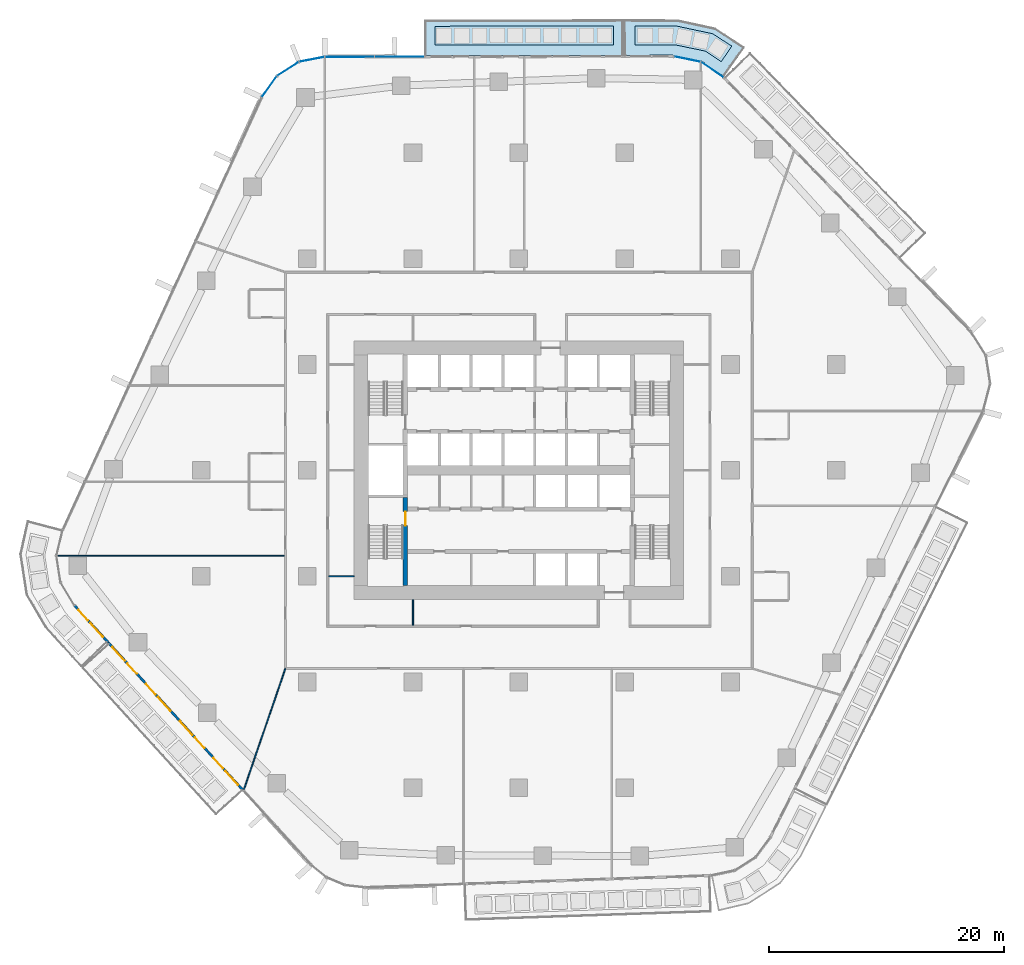
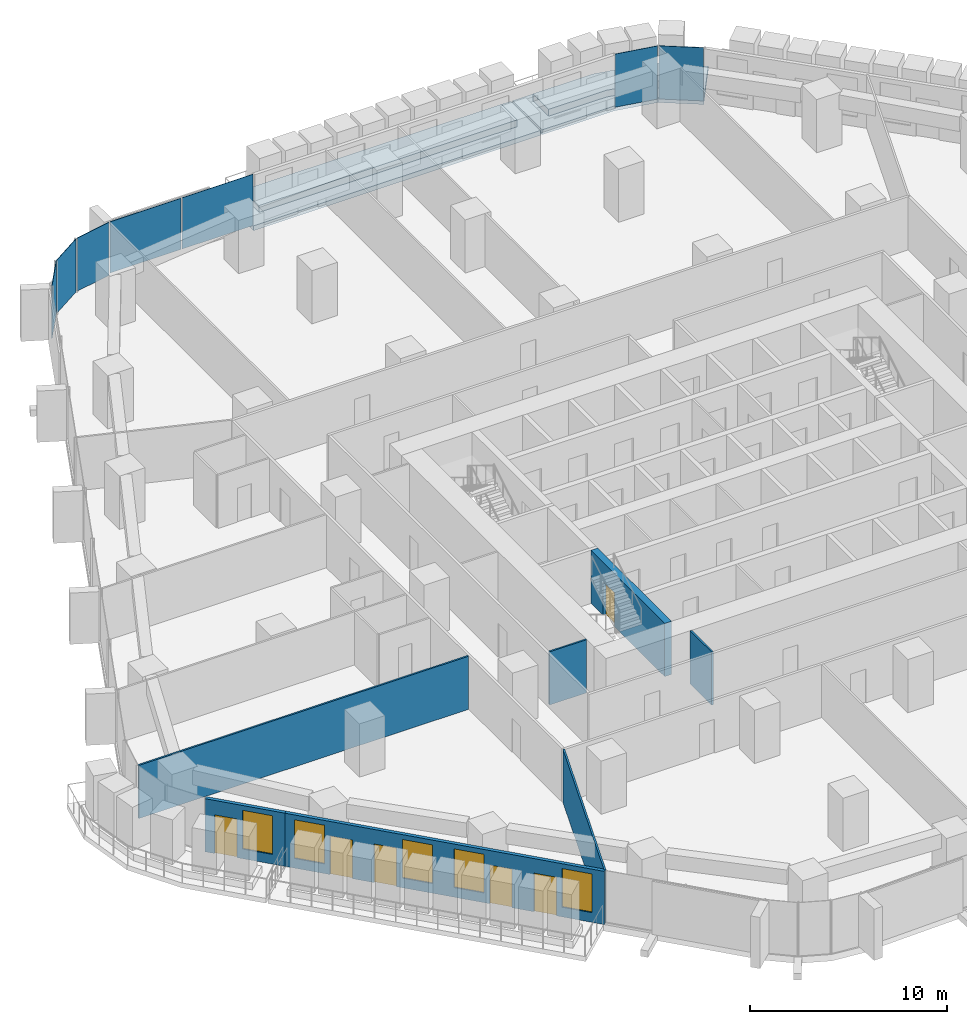
# One storey, part 12 of 26: 7 plates, 7 walls, 6 doors, 5 windows, 4 slabs, 11 openings, 3 elements without a shape of their own.
"""IFC4 building model written with IfcOpenShell, lengths in metres."""

import ifcopenshell
import ifcopenshell.guid

model = None  # the IFC model being written
_history = None  # IfcOwnerHistory: only IFC2X3 demands one
_inside = {}  # id of a spatial element -> (the spatial element, [elements in it])
_under = {}  # id of a project, library or spatial element -> (it, [spatial elements below it])
_declared = {}  # id of a project -> (the project, [libraries it declares])
_typed = {}  # id of a type object -> (the type object, [elements of that type])
_made_of = {}  # id of a material, layer set ... -> (it, [elements and type objects made of it])


def new_model(schema):
    """Start an empty IFC model of exactly this schema.

    Asked for "IFC4X3", IfcOpenShell would pick the latest addendum, in which some entities
    have other attributes; the version numbers below select the first issue.
    IFC2X3 requires an IfcOwnerHistory on every rooted entity: one is made here for all.
    """
    global model, _history
    if schema == "IFC4X3":
        model = ifcopenshell.file(schema_version=(4, 3, 0, 0))
    else:
        model = ifcopenshell.file(schema=schema)
    _inside.clear()
    _under.clear()
    _declared.clear()
    _typed.clear()
    _made_of.clear()
    _history = None
    if model.schema == "IFC2X3":
        org = make("IfcOrganization", Name="unknown")
        user = make(
            "IfcPersonAndOrganization",
            ThePerson=make("IfcPerson", FamilyName="unknown"),
            TheOrganization=org,
        )
        app = make(
            "IfcApplication",
            ApplicationDeveloper=org,
            Version="unknown",
            ApplicationFullName="unknown",
            ApplicationIdentifier="unknown",
        )
        _history = make(
            "IfcOwnerHistory",
            OwningUser=user,
            OwningApplication=app,
            ChangeAction="ADDED",
            CreationDate=0,
        )
    return model


def make(cls, **values):
    """One entity of the class cls with the attributes given. An attribute that is None is left unset."""
    return model.create_entity(
        cls, **{name: value for name, value in values.items() if value is not None}
    )


def rooted(cls, **values):
    """An entity with a GlobalId (a new one), such as an element, a storey or a relation."""
    return make(cls, GlobalId=ifcopenshell.guid.new(), OwnerHistory=_history, **values)


def si_unit(unit_type, name, prefix=None):
    """IfcSIUnit, for example si_unit("LENGTHUNIT", "METRE", prefix="MILLI")."""
    return make("IfcSIUnit", UnitType=unit_type, Prefix=prefix, Name=name)


def assignment(units):
    """IfcUnitAssignment: the units of a project."""
    return None if units is None else make("IfcUnitAssignment", Units=units)


def point(xyz):
    """IfcCartesianPoint."""
    return None if xyz is None else make("IfcCartesianPoint", Coordinates=xyz)


def direction(xyz):
    """IfcDirection."""
    return None if xyz is None else make("IfcDirection", DirectionRatios=xyz)


def frame(location, z_axis=None, x_axis=None):
    """IfcAxis2Placement3D, a coordinate frame: its origin and axes. An axis left out is left unset."""
    return make(
        "IfcAxis2Placement3D",
        Location=point(location),
        Axis=direction(z_axis),
        RefDirection=direction(x_axis),
    )


def frame_2d(location, x_axis=None):
    """IfcAxis2Placement2D, a coordinate frame in the plane: its origin and x axis."""
    return make(
        "IfcAxis2Placement2D", Location=point(location), RefDirection=direction(x_axis)
    )


def origin():
    """The frame at (0, 0, 0) with its axes left unset."""
    return frame((0.0, 0.0, 0.0))


def origin_2d():
    """The frame at (0, 0) in the plane with its x axis left unset."""
    return frame_2d((0.0, 0.0))


def place(relative_to, where):
    """IfcLocalPlacement: puts the frame where relative to a parent placement (None: the world)."""
    return make(
        "IfcLocalPlacement", PlacementRelTo=relative_to, RelativePlacement=where
    )


def context(
    kind, dimensions, precision=None, world=None, true_north=None, identifier=None
):
    """IfcGeometricRepresentationContext, for example the 3D "Model" context."""
    return make(
        "IfcGeometricRepresentationContext",
        ContextIdentifier=identifier,
        ContextType=kind,
        CoordinateSpaceDimension=dimensions,
        Precision=precision,
        WorldCoordinateSystem=world,
        TrueNorth=true_north,
    )


def subcontext(parent, identifier, kind, view, scale=None):
    """IfcGeometricRepresentationSubContext, for example "Body" below "Model"."""
    return make(
        "IfcGeometricRepresentationSubContext",
        ContextIdentifier=identifier,
        ContextType=kind,
        ParentContext=parent,
        TargetScale=scale,
        TargetView=view,
    )


def project(units=None, contexts=None):
    """IfcProject with its units and contexts."""
    return rooted(
        "IfcProject",
        Name="project",
        RepresentationContexts=contexts,
        UnitsInContext=assignment(units),
    )


def spatial(cls, under=None, at=None, **own):
    """A site, building, storey or space (cls), placed at a placement, below another one or the project."""
    s = rooted(cls, ObjectPlacement=at, **own)
    if under is not None:
        _under.setdefault(under.id(), (under, []))[1].append(s)
    return s


def polyline(points):
    """IfcPolyline through the points."""
    return make("IfcPolyline", Points=[point(p) for p in points])


def profile(cls, at=None, kind="AREA", **sizes):
    """A parametric profile (cls). Its sizes go by their IFC names, for example OverallWidth=200.0."""
    return make(cls, ProfileType=kind, Position=at, **sizes)


def rectangle(**sizes):
    """IfcRectangleProfileDef."""
    return profile("IfcRectangleProfileDef", **sizes)


def outline(outer, holes=None, kind="AREA"):
    """IfcArbitraryClosedProfileDef: a profile drawn as a closed curve; with holes, ...WithVoids."""
    if holes is None:
        return make("IfcArbitraryClosedProfileDef", ProfileType=kind, OuterCurve=outer)
    return make(
        "IfcArbitraryProfileDefWithVoids",
        ProfileType=kind,
        OuterCurve=outer,
        InnerCurves=holes,
    )


def extrude(swept, where, along, depth):
    """IfcExtrudedAreaSolid: the profile swept, set in the frame where, extruded along a direction by depth."""
    return make(
        "IfcExtrudedAreaSolid",
        SweptArea=swept,
        Position=where,
        ExtrudedDirection=direction(along),
        Depth=depth,
    )


def shape(context_of_items, identifier, shape_type, items):
    """IfcShapeRepresentation: the items that make up one representation, for example the "Body"."""
    return make(
        "IfcShapeRepresentation",
        ContextOfItems=context_of_items,
        RepresentationIdentifier=identifier,
        RepresentationType=shape_type,
        Items=items,
    )


def material(Name=None, Category=None):
    """IfcMaterial."""
    return make("IfcMaterial", Name=Name, Category=Category)


def layer(
    of_material, thickness, ventilated=None, Name=None, Category=None, Priority=None
):
    """IfcMaterialLayer: one layer of a wall or slab, of a material (None: an air gap)."""
    return make(
        "IfcMaterialLayer",
        Material=of_material,
        LayerThickness=thickness,
        IsVentilated=ventilated,
        Name=Name,
        Category=Category,
        Priority=Priority,
    )


def layer_set(layers, Name=None):
    """IfcMaterialLayerSet."""
    return make("IfcMaterialLayerSet", MaterialLayers=layers, LayerSetName=Name)


def made_of(thing, what):
    """Note that an element or type object is made of a material, layer set ...; save() writes the relation."""
    if what is not None:
        _made_of.setdefault(what.id(), (what, []))[1].append(thing)
    return thing


def type_object(cls, material=None, **own):
    """A type object (cls), such as IfcWallType, which elements share."""
    return made_of(rooted(cls, **own), material)


def element(
    cls,
    number,
    at=None,
    inside=None,
    cuts=None,
    type_object=None,
    material=None,
    context=None,
    identifier="Body",
    shape_type=None,
    held_by="IfcProductDefinitionShape",
    body=None,
    shapes=None,
    **own,
):
    """One element of the class cls, such as IfcWall. Its Tag is "e" and its number.

    at: its placement. inside: the storey or other place that contains it. cuts: it is an
    opening in that element (IfcRelVoidsElement). A single representation is given by context,
    identifier, shape_type and body (its items); several are given by shapes. held_by: the class
    of the entity that holds the representations. save() writes the other relations.
    """
    e = rooted(cls, Tag="e%d" % number, ObjectPlacement=at, **own)
    if body is not None:
        shapes = [shape(context, identifier, shape_type, body)]
    if shapes is not None:
        e.Representation = make(held_by, Representations=shapes)
    if inside is not None:
        _inside.setdefault(inside.id(), (inside, []))[1].append(e)
    if cuts is not None:
        rooted(
            "IfcRelVoidsElement", RelatingBuildingElement=cuts, RelatedOpeningElement=e
        )
    if type_object is not None:
        _typed.setdefault(type_object.id(), (type_object, []))[1].append(e)
    return made_of(e, material)


def fill(opening, filler):
    """IfcRelFillsElement: the door or window that sits in an opening."""
    return rooted(
        "IfcRelFillsElement",
        RelatingOpeningElement=opening,
        RelatedBuildingElement=filler,
    )


def aggregate(whole, parts):
    """IfcRelAggregates: a whole, such as a stair, and the parts it consists of."""
    return rooted("IfcRelAggregates", RelatingObject=whole, RelatedObjects=parts)


def save(model, path):
    """Write the relations noted so far, then the file.

    IfcRelAggregates (storeys below a building ...), IfcRelContainedInSpatialStructure (elements
    in a storey), IfcRelDefinesByType, IfcRelAssociatesMaterial and IfcRelDeclares: one each for
    every whole, place, type object, material and project.
    """
    for whole, parts in _under.values():
        aggregate(whole, parts)
    for where, things in _inside.values():
        rooted(
            "IfcRelContainedInSpatialStructure",
            RelatedElements=things,
            RelatingStructure=where,
        )
    for kind, things in _typed.values():
        rooted("IfcRelDefinesByType", RelatedObjects=things, RelatingType=kind)
    for what, things in _made_of.values():
        rooted("IfcRelAssociatesMaterial", RelatedObjects=things, RelatingMaterial=what)
    for by, libraries in _declared.values():
        rooted("IfcRelDeclares", RelatingContext=by, RelatedDefinitions=libraries)
    model.write(path)


model = new_model("IFC4")

# Units and contexts
model_context = context("Model", 3, precision=1e-05, world=origin(), true_north=direction((0.0, 1.0)))
body_context = subcontext(model_context, "Body", "Model", "MODEL_VIEW")
ifc_project = project(units=[si_unit("LENGTHUNIT", "METRE"), si_unit("AREAUNIT", "SQUARE_METRE"), si_unit("VOLUMEUNIT", "CUBIC_METRE"), si_unit("PLANEANGLEUNIT", "RADIAN"), si_unit("MASSUNIT", "GRAM", prefix="KILO")], contexts=[model_context])

# Site, building, storey
site_placement = place(None, origin())
site = spatial("IfcSite", under=ifc_project, at=site_placement, CompositionType="ELEMENT")
building_placement = place(site_placement, origin())
building = spatial("IfcBuilding", under=site, at=building_placement, Name="Dongbaek Canopy Tower", CompositionType="ELEMENT")
storey_placement = place(building_placement, frame((0.0, 0.0, 69.89990234375)))
storey = spatial("IfcBuildingStorey", under=building, at=storey_placement, Name="L13", CompositionType="ELEMENT", Elevation=69.89990234375)

# Slabs
ifc_material_1 = material(Name="Concrete C40/50", Category="concrete")
ifc_layer_1 = layer(ifc_material_1, 0.300048828125)
ifc_layer_set_1 = layer_set([ifc_layer_1], Name="Balcony slab 300")
slab_type_1 = type_object("IfcSlabType", Name="Balcony slab 300", PredefinedType="FLOOR", material=ifc_layer_set_1)
slab_1_placement = place(storey_placement, frame((0.0, 0.0, -0.2998046875)))
element("IfcSlab", 1, at=slab_1_placement, inside=storey, type_object=slab_type_1, Name="Balcony L13 2", PredefinedType="FLOOR", context=body_context, shape_type="SweptSolid", body=[
    extrude(outline(polyline([(8.88427734375, 35.28955078125), (-7.980224609375, 35.265380859375), (-7.984619140625, 38.265380859375), (8.8798828125, 38.28955078125), (8.88427734375, 35.28955078125)])), origin(), (0.0, 0.0, 1.0), 0.2998046875),
])
slab_2_placement = place(storey_placement, frame((0.0, 0.0, -0.2998046875)))
element("IfcSlab", 2, at=slab_2_placement, inside=storey, type_object=slab_type_1, Name="Balcony L13 6", PredefinedType="FLOOR", context=body_context, shape_type="SweptSolid", body=[
    extrude(outline(polyline([(17.44580078125, 33.50537109375), (15.515869140625, 34.823974609375), (13.17529296875, 35.295654296875), (8.984130859375, 35.289794921875), (8.97998046875, 38.289794921875), (13.470947265625, 38.28125), (16.681640625, 37.588134765625), (19.138427734375, 35.982177734375), (17.44580078125, 33.50537109375)])), origin(), (0.0, 0.0, 1.0), 0.2998046875),
])

# Curtain wall, plates
ifc_material_2 = material(Name="Aluminium 6063-T6 pale anodised", Category="aluminium")
ifc_layer_2 = layer(ifc_material_2, 0.199951171875)
ifc_layer_set_2 = layer_set([ifc_layer_2], Name="CW-1 unitised tower curtain wall")
curtain_wall_type = type_object("IfcCurtainWallType", Name="CW-1 unitised tower curtain wall", PredefinedType="NOTDEFINED", material=ifc_layer_set_2)
curtain_wall_1_placement = place(storey_placement, origin())
curtain_wall_1 = element("IfcCurtainWall", 3, at=curtain_wall_1_placement, inside=storey, type_object=curtain_wall_type, Name="CW-1 curtain wall K1.1", PredefinedType="NOTDEFINED")
ifc_material_3 = material(Name="Clear laminated glass", Category="glass")
ifc_layer_3 = layer(ifc_material_3, 0.028076171875)
ifc_layer_set_3 = layer_set([ifc_layer_3], Name="CW-1 glazed panel 28")
plate_type = type_object("IfcPlateType", Name="CW-1 glazed panel 28", PredefinedType="CURTAIN_PANEL", material=ifc_layer_set_3)
plate_1_placement = place(storey_placement, frame((16.44921875, 34.065185546875, 0.0), z_axis=(0.0, 0.0, 1.0), x_axis=(-0.825641209577, 0.564195527321, 0.0)))
plate_1 = element("IfcPlate", 4, at=plate_1_placement, type_object=plate_type, Name="CW-1 panel K1.1.1.1", PredefinedType="CURTAIN_PANEL", context=body_context, shape_type="SweptSolid", body=[
    extrude(rectangle(XDim=2.273193359375, YDim=0.028076171875, at=origin_2d()), origin(), (0.0, 0.0, 1.0), 3.300048828125),
])
plate_2_placement = place(storey_placement, frame((14.32080078125, 34.962890625, 0.0), z_axis=(0.0, 0.0, 1.0), x_axis=(-0.980291764832, 0.19755519685, 0.0)))
plate_2 = element("IfcPlate", 5, at=plate_2_placement, type_object=plate_type, Name="CW-1 panel K1.1.2.1", PredefinedType="CURTAIN_PANEL", context=body_context, shape_type="SweptSolid", body=[
    extrude(rectangle(XDim=2.273193359375, YDim=0.028076171875, at=origin_2d()), origin(), (0.0, 0.0, 1.0), 3.300048828125),
])
aggregate(curtain_wall_1, [plate_1, plate_2])

curtain_wall_2_placement = place(storey_placement, origin())
curtain_wall_2 = element("IfcCurtainWall", 6, at=curtain_wall_2_placement, inside=storey, type_object=curtain_wall_type, Name="CW-1 curtain wall F1.1", PredefinedType="NOTDEFINED")
plate_3_placement = place(storey_placement, frame((-10.150634765625, 35.162353515625, 0.1201171875), z_axis=(0.0, 0.0, 1.0), x_axis=(-0.999998971422, -0.00143427852, 0.0)))
plate_3 = element("IfcPlate", 7, at=plate_3_placement, type_object=plate_type, Name="CW-1 panel F1.1.1.1", PredefinedType="CURTAIN_PANEL", context=body_context, shape_type="SweptSolid", body=[
    extrude(rectangle(XDim=4.1572265625, YDim=0.028076171875, at=origin_2d()), origin(), (0.0, 0.0, 1.0), 3.179931640625),
])
plate_4_placement = place(storey_placement, frame((-14.386962890625, 35.15625, 0.1201171875), z_axis=(0.0, 0.0, 1.0), x_axis=(-0.999998971422, -0.00143427852, 0.0)))
plate_4 = element("IfcPlate", 8, at=plate_4_placement, type_object=plate_type, Name="CW-1 panel F1.1.2.1", PredefinedType="CURTAIN_PANEL", context=body_context, shape_type="SweptSolid", body=[
    extrude(rectangle(XDim=4.147705078125, YDim=0.028076171875, at=origin_2d()), origin(), (0.0, 0.0, 1.0), 3.179931640625),
])
aggregate(curtain_wall_2, [plate_3, plate_4])

curtain_wall_3_placement = place(storey_placement, origin())
curtain_wall_3 = element("IfcCurtainWall", 9, at=curtain_wall_3_placement, inside=storey, type_object=curtain_wall_type, Name="CW-1 curtain wall K2.1", PredefinedType="NOTDEFINED")
plate_5_placement = place(storey_placement, frame((-17.599365234375, 34.94091796875, 0.0), z_axis=(0.0, 0.0, 1.0), x_axis=(-0.981792795313, -0.189955013284, 0.0)))
plate_5 = element("IfcPlate", 10, at=plate_5_placement, type_object=plate_type, Name="CW-1 panel K2.1.1.1", PredefinedType="CURTAIN_PANEL", context=body_context, shape_type="SweptSolid", body=[
    extrude(rectangle(XDim=2.14990234375, YDim=0.028076171875, at=origin_2d()), origin(), (0.0, 0.0, 1.0), 3.300048828125),
])
plate_6_placement = place(storey_placement, frame((-19.632080078125, 34.128173828125, 0.0), z_axis=(0.0, 0.0, 1.0), x_axis=(-0.84164162905, -0.540036450853, 0.0)))
plate_6 = element("IfcPlate", 11, at=plate_6_placement, type_object=plate_type, Name="CW-1 panel K2.1.2.1", PredefinedType="CURTAIN_PANEL", context=body_context, shape_type="SweptSolid", body=[
    extrude(rectangle(XDim=2.14013671875, YDim=0.028076171875, at=origin_2d()), origin(), (0.0, 0.0, 1.0), 3.300048828125),
])
plate_7_placement = place(storey_placement, frame((-21.2177734375, 32.619384765625, 0.0), z_axis=(0.0, 0.0, 1.0), x_axis=(-0.581809559836, -0.813325049463, 0.0)))
plate_7 = element("IfcPlate", 12, at=plate_7_placement, type_object=plate_type, Name="CW-1 panel K2.1.3.1", PredefinedType="CURTAIN_PANEL", context=body_context, shape_type="SweptSolid", body=[
    extrude(rectangle(XDim=2.14990234375, YDim=0.028076171875, at=origin_2d()), origin(), (0.0, 0.0, 1.0), 3.300048828125),
])
aggregate(curtain_wall_3, [plate_5, plate_6, plate_7])

# Slabs
ifc_material_4 = material(Name="Reinforced concrete C40/50 planter box with soil", Category="concrete")
ifc_layer_4 = layer(ifc_material_4, 0.419921875)
ifc_layer_set_4 = layer_set([ifc_layer_4], Name="Terrace planter box 1600 x 420")
slab_type_2 = type_object("IfcSlabType", Name="Terrace planter box 1600 x 420", PredefinedType="USERDEFINED", material=ifc_layer_set_4)
slab_3_placement = place(storey_placement, origin())
element("IfcSlab", 13, at=slab_3_placement, inside=storey, type_object=slab_type_2, Name="Balcony planter L13 2", ObjectType="PLANTER", PredefinedType="USERDEFINED", context=body_context, shape_type="SweptSolid", body=[
    extrude(outline(polyline([(8.032958984375, 36.178466796875), (-7.131591796875, 36.15673828125), (-7.1337890625, 37.756591796875), (8.03076171875, 37.7783203125), (8.032958984375, 36.178466796875)])), origin(), (0.0, 0.0, 1.0), 0.420166015625),
])
slab_4_placement = place(storey_placement, origin())
element("IfcSlab", 14, at=slab_4_placement, inside=storey, type_object=slab_type_2, Name="Balcony planter L13 6", ObjectType="PLANTER", PredefinedType="USERDEFINED", context=body_context, shape_type="SweptSolid", body=[
    extrude(outline(polyline([(17.204833984375, 34.747802734375), (15.86181640625, 35.64404296875), (13.262939453125, 36.181396484375), (9.883056640625, 36.18115234375), (9.880615234375, 37.781005859375), (13.420654296875, 37.773681640625), (16.483642578125, 37.118408203125), (18.107666015625, 36.06884765625), (17.204833984375, 34.747802734375)])), origin(), (0.0, 0.0, 1.0), 0.420166015625),
])

# Walls
ifc_material_5 = material(Name="Gypsum board partition, steel stud, 2 x 12.5 mm board", Category="steel")
ifc_layer_5 = layer(ifc_material_5, 0.10009765625)
ifc_layer_set_5 = layer_set([ifc_layer_5], Name="Partition 100 gypsum board")
wall_type_1 = type_object("IfcWallType", Name="Partition 100 gypsum board", PredefinedType="PARTITIONING", material=ifc_layer_set_5)
wall_1_placement = place(storey_placement, frame((-16.175048828125, -9.0, 0.0), z_axis=(0.0, 0.0, 1.0), x_axis=(1.0, 0.0, 0.0)))
element("IfcWall", 15, at=wall_1_placement, inside=storey, type_object=wall_type_1, Name="Partition", PredefinedType="PARTITIONING", context=body_context, shape_type="SweptSolid", body=[
    extrude(rectangle(XDim=2.175048828125, YDim=0.10009765625, at=frame_2d((1.08740234375, 0.0))), origin(), (0.0, 0.0, 1.0), 3.300048828125),
])
wall_2_placement = place(storey_placement, frame((-39.29345703125, -7.26904296875, 0.0), z_axis=(0.0, 0.0, 1.0), x_axis=(1.0, 0.0, 0.0)))
element("IfcWall", 16, at=wall_2_placement, inside=storey, type_object=wall_type_1, Name="Partition", PredefinedType="PARTITIONING", context=body_context, shape_type="SweptSolid", body=[
    extrude(rectangle(XDim=19.368408203125, YDim=0.10009765625, at=frame_2d((9.68408203125, 0.0))), origin(), (0.0, 0.0, 1.0), 3.300048828125),
])
wall_3_placement = place(storey_placement, frame((-23.40380859375, -27.212646484375, 0.0), z_axis=(0.0, 0.0, 1.0), x_axis=(0.32441263541, 0.945915663253, 0.0)))
element("IfcWall", 17, at=wall_3_placement, inside=storey, type_object=wall_type_1, Name="Partition", PredefinedType="PARTITIONING", context=body_context, shape_type="SweptSolid", body=[
    extrude(rectangle(XDim=10.955078125, YDim=0.10009765625, at=frame_2d((5.4775390625, 0.0))), origin(), (0.0, 0.0, 1.0), 3.300048828125),
])
wall_4_placement = place(storey_placement, frame((-9.0, -13.175048828125, 0.0), z_axis=(0.0, 0.0, 1.0), x_axis=(0.0, 1.0, 0.0)))
element("IfcWall", 18, at=wall_4_placement, inside=storey, type_object=wall_type_1, Name="Partition", PredefinedType="PARTITIONING", context=body_context, shape_type="SweptSolid", body=[
    extrude(rectangle(XDim=2.175048828125, YDim=0.10009765625, at=frame_2d((1.08740234375, 0.0))), origin(), (0.0, 0.0, 1.0), 3.300048828125),
])

# Wall, opening, door
ifc_material_6 = material(Name="Concrete C60/75", Category="concrete")
ifc_layer_6 = layer(ifc_material_6, 0.39990234375)
ifc_layer_set_6 = layer_set([ifc_layer_6], Name="Stair wall 400 Concrete C60/75")
wall_type_2 = type_object("IfcWallType", Name="Stair wall 400 Concrete C60/75", PredefinedType="SHEAR", material=ifc_layer_set_6)
wall_5_placement = place(storey_placement, frame((-9.64990234375, -9.800048828125, 0.0), z_axis=(0.0, 0.0, 1.0), x_axis=(0.0, 1.0, 0.0)))
wall_5 = element("IfcWall", 19, at=wall_5_placement, inside=storey, type_object=wall_type_2, Name="Stair wall", PredefinedType="SHEAR", context=body_context, shape_type="SweptSolid", body=[
    extrude(rectangle(XDim=7.5, YDim=0.39990234375, at=frame_2d((3.75, 0.0))), origin(), (0.0, 0.0, 1.0), 3.300048828125),
])
opening_1_placement = place(wall_5_placement, frame((5.10009765625, 0.0, 0.0)))
opening_1 = element("IfcOpeningElement", 20, at=opening_1_placement, cuts=wall_5, Name="Opening L13-D055", PredefinedType="OPENING", context=body_context, shape_type="SweptSolid", body=[
    extrude(rectangle(XDim=1.199951171875, YDim=2.10009765625, at=frame_2d((0.60009765625, 1.050048828125))), frame((0.0, 0.2099609375, 0.0), z_axis=(0.0, -1.0, 0.0), x_axis=(1.0, 0.0, 0.0)), (0.0, 0.0, 1.0), 0.419921875),
])
ifc_material_7 = material(Name="Steel", Category="steel")
door_type_1 = type_object("IfcDoorType", Name="Stair door 1200 x 2100", OperationType="SINGLE_SWING_LEFT", PredefinedType="DOOR", material=ifc_material_7)
door_1_placement = place(opening_1_placement, origin())
door_1 = element("IfcDoor", 21, at=door_1_placement, inside=storey, type_object=door_type_1, Name="Stair D door", OperationType="SINGLE_SWING_LEFT", OverallHeight=2.10009765625, OverallWidth=1.199951171875, PredefinedType="DOOR", context=body_context, shape_type="SweptSolid", body=[
    extrude(rectangle(XDim=1.199951171875, YDim=2.10009765625, at=frame_2d((0.60009765625, 1.050048828125))), frame((0.0, 0.02490234375, 0.0), z_axis=(0.0, -1.0, 0.0), x_axis=(1.0, 0.0, 0.0)), (0.0, 0.0, 1.0), 0.050048828125),
])
fill(opening_1, door_1)

# Wall, openings, doors, windows
ifc_material_8 = material(Name="Aluminium window wall", Category="aluminium")
ifc_layer_7 = layer(ifc_material_8, 0.199951171875)
ifc_layer_set_7 = layer_set([ifc_layer_7], Name="Window wall 200")
wall_type_3 = type_object("IfcWallType", Name="Window wall 200", PredefinedType="SOLIDWALL", material=ifc_layer_set_7)
wall_6_placement = place(storey_placement, frame((-34.90576171875, -14.636474609375, 0.0), z_axis=(0.0, 0.0, 1.0), x_axis=(0.674011334321, -0.738721003632, 0.0)))
wall_6 = element("IfcWall", 22, at=wall_6_placement, inside=storey, type_object=wall_type_3, Name="Window wall L13 3", PredefinedType="SOLIDWALL", context=body_context, shape_type="SweptSolid", body=[
    extrude(rectangle(XDim=17.05322265625, YDim=0.199951171875, at=frame_2d((8.526611328125, 0.0))), origin(), (0.0, 0.0, 1.0), 3.300048828125),
])
opening_2_placement = place(wall_6_placement, frame((0.5, 0.0, 0.60009765625)))
opening_2 = element("IfcOpeningElement", 23, at=opening_2_placement, cuts=wall_6, Name="Opening W1", PredefinedType="OPENING", context=body_context, shape_type="SweptSolid", body=[
    extrude(rectangle(XDim=1.60009765625, YDim=2.39990234375, at=frame_2d((0.800048828125, 1.199951171875))), frame((0.0, 0.10986328125, 0.0), z_axis=(0.0, -1.0, 0.0), x_axis=(1.0, 0.0, 0.0)), (0.0, 0.0, 1.0), 0.219970703125),
])
opening_3_placement = place(wall_6_placement, frame((2.39990234375, 0.0, 0.0)))
opening_3 = element("IfcOpeningElement", 24, at=opening_3_placement, cuts=wall_6, Name="Opening L13-B11", PredefinedType="OPENING", context=body_context, shape_type="SweptSolid", body=[
    extrude(rectangle(XDim=1.199951171875, YDim=2.39990234375, at=frame_2d((0.60009765625, 1.199951171875))), frame((0.0, 0.10986328125, 0.0), z_axis=(0.0, -1.0, 0.0), x_axis=(1.0, 0.0, 0.0)), (0.0, 0.0, 1.0), 0.219970703125),
])
opening_4_placement = place(wall_6_placement, frame((6.263427734375, 0.0, 0.60009765625)))
opening_4 = element("IfcOpeningElement", 25, at=opening_4_placement, cuts=wall_6, Name="Opening W1", PredefinedType="OPENING", context=body_context, shape_type="SweptSolid", body=[
    extrude(rectangle(XDim=1.60009765625, YDim=2.39990234375, at=frame_2d((0.800048828125, 1.199951171875))), frame((0.0, 0.10986328125, 0.0), z_axis=(0.0, -1.0, 0.0), x_axis=(1.0, 0.0, 0.0)), (0.0, 0.0, 1.0), 0.219970703125),
])
opening_5_placement = place(wall_6_placement, frame((4.763427734375, 0.0, 0.0)))
opening_5 = element("IfcOpeningElement", 26, at=opening_5_placement, cuts=wall_6, Name="Opening L13-B12", PredefinedType="OPENING", context=body_context, shape_type="SweptSolid", body=[
    extrude(rectangle(XDim=1.199951171875, YDim=2.39990234375, at=frame_2d((0.60009765625, 1.199951171875))), frame((0.0, 0.10986328125, 0.0), z_axis=(0.0, -1.0, 0.0), x_axis=(1.0, 0.0, 0.0)), (0.0, 0.0, 1.0), 0.219970703125),
])
opening_6_placement = place(wall_6_placement, frame((9.02685546875, 0.0, 0.60009765625)))
opening_6 = element("IfcOpeningElement", 27, at=opening_6_placement, cuts=wall_6, Name="Opening W1", PredefinedType="OPENING", context=body_context, shape_type="SweptSolid", body=[
    extrude(rectangle(XDim=1.60009765625, YDim=2.39990234375, at=frame_2d((0.800048828125, 1.199951171875))), frame((0.0, 0.10986328125, 0.0), z_axis=(0.0, -1.0, 0.0), x_axis=(1.0, 0.0, 0.0)), (0.0, 0.0, 1.0), 0.219970703125),
])
opening_7_placement = place(wall_6_placement, frame((10.9267578125, 0.0, 0.0)))
opening_7 = element("IfcOpeningElement", 28, at=opening_7_placement, cuts=wall_6, Name="Opening L13-B13", PredefinedType="OPENING", context=body_context, shape_type="SweptSolid", body=[
    extrude(rectangle(XDim=1.199951171875, YDim=2.39990234375, at=frame_2d((0.60009765625, 1.199951171875))), frame((0.0, 0.10986328125, 0.0), z_axis=(0.0, -1.0, 0.0), x_axis=(1.0, 0.0, 0.0)), (0.0, 0.0, 1.0), 0.219970703125),
])
opening_8_placement = place(wall_6_placement, frame((14.7900390625, 0.0, 0.60009765625)))
opening_8 = element("IfcOpeningElement", 29, at=opening_8_placement, cuts=wall_6, Name="Opening W1", PredefinedType="OPENING", context=body_context, shape_type="SweptSolid", body=[
    extrude(rectangle(XDim=1.60009765625, YDim=2.39990234375, at=frame_2d((0.800048828125, 1.199951171875))), frame((0.0, 0.10986328125, 0.0), z_axis=(0.0, -1.0, 0.0), x_axis=(1.0, 0.0, 0.0)), (0.0, 0.0, 1.0), 0.219970703125),
])
opening_9_placement = place(wall_6_placement, frame((13.2900390625, 0.0, 0.0)))
opening_9 = element("IfcOpeningElement", 30, at=opening_9_placement, cuts=wall_6, Name="Opening L13-B14", PredefinedType="OPENING", context=body_context, shape_type="SweptSolid", body=[
    extrude(rectangle(XDim=1.199951171875, YDim=2.39990234375, at=frame_2d((0.60009765625, 1.199951171875))), frame((0.0, 0.10986328125, 0.0), z_axis=(0.0, -1.0, 0.0), x_axis=(1.0, 0.0, 0.0)), (0.0, 0.0, 1.0), 0.219970703125),
])
ifc_material_9 = material(Name="Clear glazing in aluminium frame", Category="aluminium")
door_type_2 = type_object("IfcDoorType", Name="Balcony door BD1 1200 x 2400", OperationType="SLIDING_TO_LEFT", PredefinedType="DOOR", material=ifc_material_9)
door_2_placement = place(opening_3_placement, origin())
door_2 = element("IfcDoor", 31, at=door_2_placement, inside=storey, type_object=door_type_2, Name="Balcony door L13-B11", OperationType="SLIDING_TO_LEFT", OverallHeight=2.39990234375, OverallWidth=1.199951171875, PredefinedType="DOOR", context=body_context, shape_type="SweptSolid", body=[
    extrude(rectangle(XDim=1.199951171875, YDim=2.39990234375, at=frame_2d((0.60009765625, 1.199951171875))), frame((0.0, 0.02490234375, 0.0), z_axis=(0.0, -1.0, 0.0), x_axis=(1.0, 0.0, 0.0)), (0.0, 0.0, 1.0), 0.050048828125),
])
fill(opening_3, door_2)
door_3_placement = place(opening_5_placement, origin())
door_3 = element("IfcDoor", 32, at=door_3_placement, inside=storey, type_object=door_type_2, Name="Balcony door L13-B12", OperationType="SLIDING_TO_LEFT", OverallHeight=2.39990234375, OverallWidth=1.199951171875, PredefinedType="DOOR", context=body_context, shape_type="SweptSolid", body=[
    extrude(rectangle(XDim=1.199951171875, YDim=2.39990234375, at=frame_2d((0.60009765625, 1.199951171875))), frame((0.0, 0.02490234375, 0.0), z_axis=(0.0, -1.0, 0.0), x_axis=(1.0, 0.0, 0.0)), (0.0, 0.0, 1.0), 0.050048828125),
])
fill(opening_5, door_3)
door_4_placement = place(opening_7_placement, origin())
door_4 = element("IfcDoor", 33, at=door_4_placement, inside=storey, type_object=door_type_2, Name="Balcony door L13-B13", OperationType="SLIDING_TO_LEFT", OverallHeight=2.39990234375, OverallWidth=1.199951171875, PredefinedType="DOOR", context=body_context, shape_type="SweptSolid", body=[
    extrude(rectangle(XDim=1.199951171875, YDim=2.39990234375, at=frame_2d((0.60009765625, 1.199951171875))), frame((0.0, 0.02490234375, 0.0), z_axis=(0.0, -1.0, 0.0), x_axis=(1.0, 0.0, 0.0)), (0.0, 0.0, 1.0), 0.050048828125),
])
fill(opening_7, door_4)
door_5_placement = place(opening_9_placement, origin())
door_5 = element("IfcDoor", 34, at=door_5_placement, inside=storey, type_object=door_type_2, Name="Balcony door L13-B14", OperationType="SLIDING_TO_LEFT", OverallHeight=2.39990234375, OverallWidth=1.199951171875, PredefinedType="DOOR", context=body_context, shape_type="SweptSolid", body=[
    extrude(rectangle(XDim=1.199951171875, YDim=2.39990234375, at=frame_2d((0.60009765625, 1.199951171875))), frame((0.0, 0.02490234375, 0.0), z_axis=(0.0, -1.0, 0.0), x_axis=(1.0, 0.0, 0.0)), (0.0, 0.0, 1.0), 0.050048828125),
])
fill(opening_9, door_5)
ifc_material_10 = material(Name="Clear glazing in aluminium frame", Category="aluminium")
window_type = type_object("IfcWindowType", Name="Window W1 1600 x 2400", PartitioningType="SINGLE_PANEL", PredefinedType="WINDOW", material=ifc_material_10)
window_1_placement = place(opening_2_placement, origin())
window_1 = element("IfcWindow", 35, at=window_1_placement, inside=storey, type_object=window_type, Name="Window L13 3.1", OverallHeight=2.39990234375, OverallWidth=1.60009765625, PartitioningType="SINGLE_PANEL", PredefinedType="WINDOW", context=body_context, shape_type="SweptSolid", body=[
    extrude(rectangle(XDim=1.60009765625, YDim=2.39990234375, at=frame_2d((0.800048828125, 1.199951171875))), frame((0.0, 0.030029296875, 0.0), z_axis=(0.0, -1.0, 0.0), x_axis=(1.0, 0.0, 0.0)), (0.0, 0.0, 1.0), 0.06005859375),
])
fill(opening_2, window_1)
window_2_placement = place(opening_4_placement, origin())
window_2 = element("IfcWindow", 36, at=window_2_placement, inside=storey, type_object=window_type, Name="Window L13 3.2", OverallHeight=2.39990234375, OverallWidth=1.60009765625, PartitioningType="SINGLE_PANEL", PredefinedType="WINDOW", context=body_context, shape_type="SweptSolid", body=[
    extrude(rectangle(XDim=1.60009765625, YDim=2.39990234375, at=frame_2d((0.800048828125, 1.199951171875))), frame((0.0, 0.030029296875, 0.0), z_axis=(0.0, -1.0, 0.0), x_axis=(1.0, 0.0, 0.0)), (0.0, 0.0, 1.0), 0.06005859375),
])
fill(opening_4, window_2)
window_3_placement = place(opening_6_placement, origin())
window_3 = element("IfcWindow", 37, at=window_3_placement, inside=storey, type_object=window_type, Name="Window L13 3.3", OverallHeight=2.39990234375, OverallWidth=1.60009765625, PartitioningType="SINGLE_PANEL", PredefinedType="WINDOW", context=body_context, shape_type="SweptSolid", body=[
    extrude(rectangle(XDim=1.60009765625, YDim=2.39990234375, at=frame_2d((0.800048828125, 1.199951171875))), frame((0.0, 0.030029296875, 0.0), z_axis=(0.0, -1.0, 0.0), x_axis=(1.0, 0.0, 0.0)), (0.0, 0.0, 1.0), 0.06005859375),
])
fill(opening_6, window_3)
window_4_placement = place(opening_8_placement, origin())
window_4 = element("IfcWindow", 38, at=window_4_placement, inside=storey, type_object=window_type, Name="Window L13 3.4", OverallHeight=2.39990234375, OverallWidth=1.60009765625, PartitioningType="SINGLE_PANEL", PredefinedType="WINDOW", context=body_context, shape_type="SweptSolid", body=[
    extrude(rectangle(XDim=1.60009765625, YDim=2.39990234375, at=frame_2d((0.800048828125, 1.199951171875))), frame((0.0, 0.030029296875, 0.0), z_axis=(0.0, -1.0, 0.0), x_axis=(1.0, 0.0, 0.0)), (0.0, 0.0, 1.0), 0.06005859375),
])
fill(opening_8, window_4)

# Wall, openings, door, window
wall_7_placement = place(storey_placement, frame((-37.772705078125, -11.494140625, 0.0), z_axis=(0.0, 0.0, 1.0), x_axis=(0.673994410995, -0.738736444172, 0.0)))
wall_7 = element("IfcWall", 39, at=wall_7_placement, inside=storey, type_object=wall_type_3, Name="Window wall L13 7", PredefinedType="SOLIDWALL", context=body_context, shape_type="SweptSolid", body=[
    extrude(rectangle(XDim=4.253662109375, YDim=0.199951171875, at=frame_2d((2.126953125, 0.0))), origin(), (0.0, 0.0, 1.0), 3.300048828125),
])
opening_10_placement = place(wall_7_placement, frame((2.0, 0.0, 0.60009765625)))
opening_10 = element("IfcOpeningElement", 40, at=opening_10_placement, cuts=wall_7, Name="Opening W1", PredefinedType="OPENING", context=body_context, shape_type="SweptSolid", body=[
    extrude(rectangle(XDim=1.60009765625, YDim=2.39990234375, at=frame_2d((0.800048828125, 1.199951171875))), frame((0.0, 0.10986328125, 0.0), z_axis=(0.0, -1.0, 0.0), x_axis=(1.0, 0.0, 0.0)), (0.0, 0.0, 1.0), 0.219970703125),
])
opening_11_placement = place(wall_7_placement, frame((0.5, 0.0, 0.0)))
opening_11 = element("IfcOpeningElement", 41, at=opening_11_placement, cuts=wall_7, Name="Opening L13-B15", PredefinedType="OPENING", context=body_context, shape_type="SweptSolid", body=[
    extrude(rectangle(XDim=1.199951171875, YDim=2.39990234375, at=frame_2d((0.60009765625, 1.199951171875))), frame((0.0, 0.10986328125, 0.0), z_axis=(0.0, -1.0, 0.0), x_axis=(1.0, 0.0, 0.0)), (0.0, 0.0, 1.0), 0.219970703125),
])
door_6_placement = place(opening_11_placement, origin())
door_6 = element("IfcDoor", 42, at=door_6_placement, inside=storey, type_object=door_type_2, Name="Balcony door L13-B15", OperationType="SLIDING_TO_LEFT", OverallHeight=2.39990234375, OverallWidth=1.199951171875, PredefinedType="DOOR", context=body_context, shape_type="SweptSolid", body=[
    extrude(rectangle(XDim=1.199951171875, YDim=2.39990234375, at=frame_2d((0.60009765625, 1.199951171875))), frame((0.0, 0.02490234375, 0.0), z_axis=(0.0, -1.0, 0.0), x_axis=(1.0, 0.0, 0.0)), (0.0, 0.0, 1.0), 0.050048828125),
])
fill(opening_11, door_6)
window_5_placement = place(opening_10_placement, origin())
window_5 = element("IfcWindow", 43, at=window_5_placement, inside=storey, type_object=window_type, Name="Window L13 7.1", OverallHeight=2.39990234375, OverallWidth=1.60009765625, PartitioningType="SINGLE_PANEL", PredefinedType="WINDOW", context=body_context, shape_type="SweptSolid", body=[
    extrude(rectangle(XDim=1.60009765625, YDim=2.39990234375, at=frame_2d((0.800048828125, 1.199951171875))), frame((0.0, 0.030029296875, 0.0), z_axis=(0.0, -1.0, 0.0), x_axis=(1.0, 0.0, 0.0)), (0.0, 0.0, 1.0), 0.06005859375),
])
fill(opening_10, window_5)

save(model, "model.ifc")
